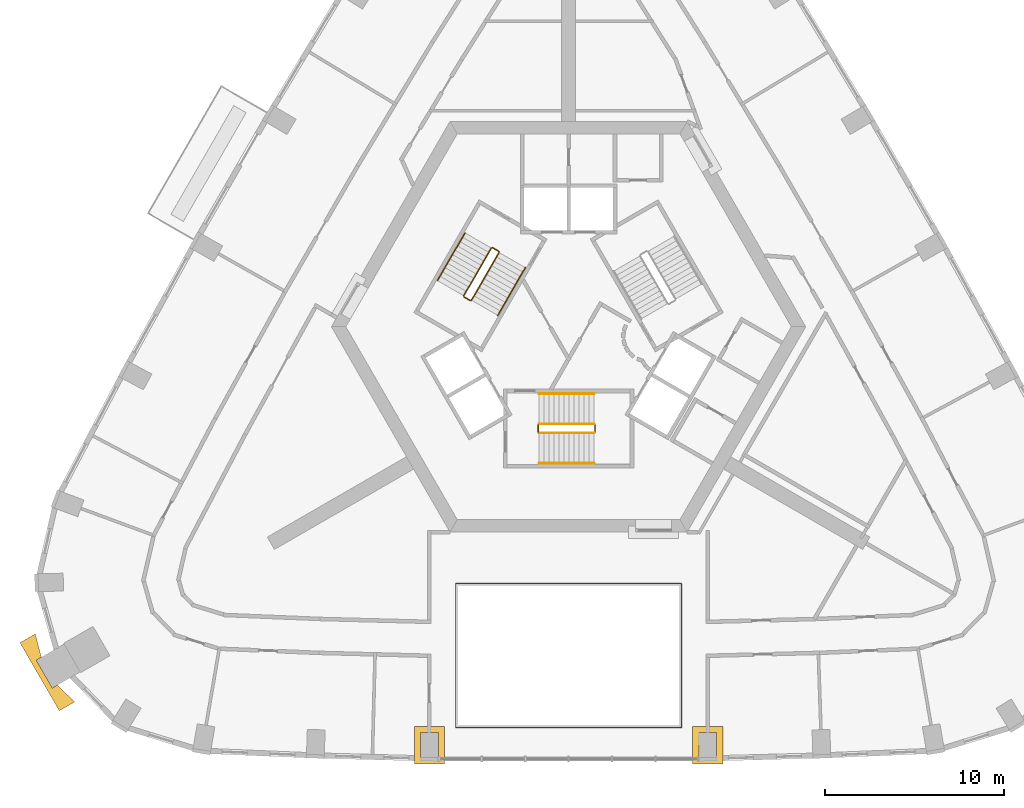
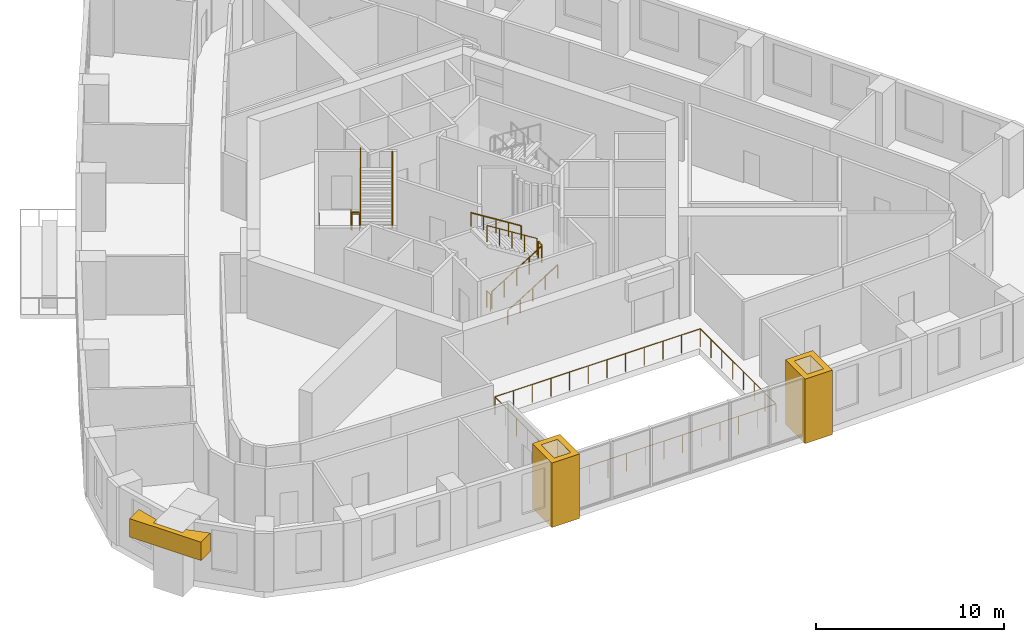
# One storey, part 11 of 13: 13 railings, 3 coverings.
"""IFC4 building model written with IfcOpenShell, lengths in metres."""

from ifc_helpers import new_model, si_unit, direction, frame, origin, origin_2d, place, context, subcontext, project, spatial, polyline, circle, outline, extrude, material, type_object, element, save


model = new_model("IFC4")

# Units and contexts
model_context = context("Model", 3, precision=1e-05, world=origin(), true_north=direction((0.0, 1.0)))
body_context = subcontext(model_context, "Body", "Model", "MODEL_VIEW")
ifc_project = project(units=[si_unit("LENGTHUNIT", "METRE"), si_unit("AREAUNIT", "SQUARE_METRE"), si_unit("VOLUMEUNIT", "CUBIC_METRE"), si_unit("PLANEANGLEUNIT", "RADIAN"), si_unit("MASSUNIT", "GRAM", prefix="KILO")], contexts=[model_context])

# Site, building, storey
site_placement = place(None, origin())
site = spatial("IfcSite", under=ifc_project, at=site_placement, CompositionType="ELEMENT")
building_placement = place(site_placement, origin())
building = spatial("IfcBuilding", under=site, at=building_placement, Name="Entoto Arch Interchange Tower", CompositionType="ELEMENT")
storey_placement = place(building_placement, frame((0.0, 0.0, 198.199951171875)))
storey = spatial("IfcBuildingStorey", under=building, at=storey_placement, Name="L44", CompositionType="ELEMENT", Elevation=198.199951171875)

# Railing
ifc_material_1 = material(Name="Stainless steel 1.4301", Category="steel")
railing_type_1 = type_object("IfcRailingType", Name="ATRIUM GUARD 1200 STEEL AND GLASS", PredefinedType="GUARDRAIL", material=ifc_material_1)
railing_1_placement = place(storey_placement, frame((6.320068359375, -19.947021484375, 0.0)))
element("IfcRailing", 1, at=railing_1_placement, inside=storey, type_object=railing_type_1, Name="Atrium guard L44", PredefinedType="GUARDRAIL", context=body_context, shape_type="SweptSolid", body=[
    extrude(circle(Radius=0.02392578125, at=origin_2d()), frame((0.0, 0.0, 1.17578125), z_axis=(-1.0, 0.0, 0.0), x_axis=(0.0, -1.0, 0.0)), (0.0, 0.0, 1.0), 12.64013671875),
    extrude(circle(Radius=0.02392578125, at=origin_2d()), frame((-12.64013671875, 0.0, 1.17578125), z_axis=(0.0, 1.0, 0.0), x_axis=(-1.0, 0.0, 0.0)), (0.0, 0.0, 1.0), 8.067138671875),
    extrude(circle(Radius=0.02392578125, at=origin_2d()), frame((-12.64013671875, 8.067138671875, 1.17578125), z_axis=(1.0, 0.0, 0.0), x_axis=(0.0, 1.0, 0.0)), (0.0, 0.0, 1.0), 12.64013671875),
    extrude(circle(Radius=0.02392578125, at=origin_2d()), frame((0.0, 8.067138671875, 1.17578125), z_axis=(0.0, -1.0, 0.0), x_axis=(1.0, 0.0, 0.0)), (0.0, 0.0, 1.0), 8.067138671875),
    extrude(circle(Radius=0.02099609375, at=origin_2d()), origin(), (0.0, 0.0, 1.0), 1.15185546875),
    extrude(circle(Radius=0.02099609375, at=origin_2d()), frame((-1.149169921875, 0.0, 0.0)), (0.0, 0.0, 1.0), 1.15185546875),
    extrude(circle(Radius=0.02099609375, at=origin_2d()), frame((-2.298095703125, 0.0, 0.0)), (0.0, 0.0, 1.0), 1.15185546875),
    extrude(circle(Radius=0.02099609375, at=origin_2d()), frame((-3.447265625, 0.0, 0.0)), (0.0, 0.0, 1.0), 1.15185546875),
    extrude(circle(Radius=0.02099609375, at=origin_2d()), frame((-4.596435546875, 0.0, 0.0)), (0.0, 0.0, 1.0), 1.15185546875),
    extrude(circle(Radius=0.02099609375, at=origin_2d()), frame((-5.74560546875, 0.0, 0.0)), (0.0, 0.0, 1.0), 1.15185546875),
    extrude(circle(Radius=0.02099609375, at=origin_2d()), frame((-6.89453125, 0.0, 0.0)), (0.0, 0.0, 1.0), 1.15185546875),
    extrude(circle(Radius=0.02099609375, at=origin_2d()), frame((-8.043701171875, 0.0, 0.0)), (0.0, 0.0, 1.0), 1.15185546875),
    extrude(circle(Radius=0.02099609375, at=origin_2d()), frame((-9.19287109375, 0.0, 0.0)), (0.0, 0.0, 1.0), 1.15185546875),
    extrude(circle(Radius=0.02099609375, at=origin_2d()), frame((-10.342041015625, 0.0, 0.0)), (0.0, 0.0, 1.0), 1.15185546875),
    extrude(circle(Radius=0.02099609375, at=origin_2d()), frame((-11.490966796875, 0.0, 0.0)), (0.0, 0.0, 1.0), 1.15185546875),
    extrude(circle(Radius=0.02099609375, at=origin_2d()), frame((-12.64013671875, 0.0, 0.0)), (0.0, 0.0, 1.0), 1.15185546875),
    extrude(circle(Radius=0.02099609375, at=origin_2d()), frame((-12.64013671875, 1.15234375, 0.0)), (0.0, 0.0, 1.0), 1.15185546875),
    extrude(circle(Radius=0.02099609375, at=origin_2d()), frame((-12.64013671875, 2.304931640625, 0.0)), (0.0, 0.0, 1.0), 1.15185546875),
    extrude(circle(Radius=0.02099609375, at=origin_2d()), frame((-12.64013671875, 3.457275390625, 0.0)), (0.0, 0.0, 1.0), 1.15185546875),
    extrude(circle(Radius=0.02099609375, at=origin_2d()), frame((-12.64013671875, 4.60986328125, 0.0)), (0.0, 0.0, 1.0), 1.15185546875),
    extrude(circle(Radius=0.02099609375, at=origin_2d()), frame((-12.64013671875, 5.76220703125, 0.0)), (0.0, 0.0, 1.0), 1.15185546875),
    extrude(circle(Radius=0.02099609375, at=origin_2d()), frame((-12.64013671875, 6.914794921875, 0.0)), (0.0, 0.0, 1.0), 1.15185546875),
    extrude(circle(Radius=0.02099609375, at=origin_2d()), frame((-12.64013671875, 8.067138671875, 0.0)), (0.0, 0.0, 1.0), 1.15185546875),
    extrude(circle(Radius=0.02099609375, at=origin_2d()), frame((-11.490966796875, 8.067138671875, 0.0)), (0.0, 0.0, 1.0), 1.15185546875),
    extrude(circle(Radius=0.02099609375, at=origin_2d()), frame((-10.342041015625, 8.067138671875, 0.0)), (0.0, 0.0, 1.0), 1.15185546875),
    extrude(circle(Radius=0.02099609375, at=origin_2d()), frame((-9.19287109375, 8.067138671875, 0.0)), (0.0, 0.0, 1.0), 1.15185546875),
    extrude(circle(Radius=0.02099609375, at=origin_2d()), frame((-8.043701171875, 8.067138671875, 0.0)), (0.0, 0.0, 1.0), 1.15185546875),
    extrude(circle(Radius=0.02099609375, at=origin_2d()), frame((-6.89453125, 8.067138671875, 0.0)), (0.0, 0.0, 1.0), 1.15185546875),
    extrude(circle(Radius=0.02099609375, at=origin_2d()), frame((-5.74560546875, 8.067138671875, 0.0)), (0.0, 0.0, 1.0), 1.15185546875),
    extrude(circle(Radius=0.02099609375, at=origin_2d()), frame((-4.596435546875, 8.067138671875, 0.0)), (0.0, 0.0, 1.0), 1.15185546875),
    extrude(circle(Radius=0.02099609375, at=origin_2d()), frame((-3.447265625, 8.067138671875, 0.0)), (0.0, 0.0, 1.0), 1.15185546875),
    extrude(circle(Radius=0.02099609375, at=origin_2d()), frame((-2.298095703125, 8.067138671875, 0.0)), (0.0, 0.0, 1.0), 1.15185546875),
    extrude(circle(Radius=0.02099609375, at=origin_2d()), frame((-1.149169921875, 8.067138671875, 0.0)), (0.0, 0.0, 1.0), 1.15185546875),
    extrude(circle(Radius=0.02099609375, at=origin_2d()), frame((0.0, 8.067138671875, 0.0)), (0.0, 0.0, 1.0), 1.15185546875),
    extrude(circle(Radius=0.02099609375, at=origin_2d()), frame((0.0, 6.914794921875, 0.0)), (0.0, 0.0, 1.0), 1.15185546875),
    extrude(circle(Radius=0.02099609375, at=origin_2d()), frame((0.0, 5.76220703125, 0.0)), (0.0, 0.0, 1.0), 1.15185546875),
    extrude(circle(Radius=0.02099609375, at=origin_2d()), frame((0.0, 4.60986328125, 0.0)), (0.0, 0.0, 1.0), 1.15185546875),
    extrude(circle(Radius=0.02099609375, at=origin_2d()), frame((0.0, 3.457275390625, 0.0)), (0.0, 0.0, 1.0), 1.15185546875),
    extrude(circle(Radius=0.02099609375, at=origin_2d()), frame((0.0, 2.304931640625, 0.0)), (0.0, 0.0, 1.0), 1.15185546875),
    extrude(circle(Radius=0.02099609375, at=origin_2d()), frame((0.0, 1.15234375, 0.0)), (0.0, 0.0, 1.0), 1.15185546875),
])

# Coverings
ifc_material_2 = material(Name="Board-marked precast concrete C50/60", Category="concrete")
covering_type = type_object("IfcCoveringType", Name="PRECAST FRAME COURSE", PredefinedType="CLADDING", material=ifc_material_2)
covering_1_placement = place(storey_placement, frame((0.0, 0.0, 2.60009765625)))
element("IfcCovering", 2, at=covering_1_placement, inside=storey, type_object=covering_type, Name="Corner pilaster head SW L42-L44", PredefinedType="CLADDING", context=body_context, shape_type="SweptSolid", body=[
    extrude(outline(polyline([(-28.51806640625, -19.0048828125), (-30.718017578125, -15.195068359375), (-29.863037109375, -14.700927734375), (-29.52099609375, -16.0048828125), (-29.80810546875, -16.1708984375), (-28.907958984375, -17.72900390625), (-28.6220703125, -17.56396484375), (-27.6630859375, -18.510986328125), (-28.51806640625, -19.0048828125)])), origin(), (0.0, 0.0, 1.0), 1.199951171875),
])
covering_2_placement = place(storey_placement, frame((0.0, 0.0, -0.39990234375)))
element("IfcCovering", 3, at=covering_2_placement, inside=storey, type_object=covering_type, Name="Gate pier L44", PredefinedType="CLADDING", context=body_context, shape_type="SweptSolid", body=[
    extrude(outline(polyline([(-8.637939453125, -19.876953125), (-6.93798828125, -19.876953125), (-6.93798828125, -21.97705078125), (-8.637939453125, -21.97705078125), (-8.637939453125, -19.876953125)]), holes=[polyline([(-8.2880859375, -20.22705078125), (-8.2880859375, -21.626953125), (-7.2880859375, -21.626953125), (-7.2880859375, -20.22705078125), (-8.2880859375, -20.22705078125)])]), origin(), (0.0, 0.0, 1.0), 4.199951171875),
])
covering_3_placement = place(storey_placement, frame((0.0, 0.0, -0.39990234375)))
element("IfcCovering", 4, at=covering_3_placement, inside=storey, type_object=covering_type, Name="Gate pier L44", PredefinedType="CLADDING", context=body_context, shape_type="SweptSolid", body=[
    extrude(outline(polyline([(6.93798828125, -19.876953125), (8.637939453125, -19.876953125), (8.637939453125, -21.97705078125), (6.93798828125, -21.97705078125), (6.93798828125, -19.876953125)]), holes=[polyline([(7.2880859375, -20.22705078125), (7.2880859375, -21.626953125), (8.2880859375, -21.626953125), (8.2880859375, -20.22705078125), (7.2880859375, -20.22705078125)])]), origin(), (0.0, 0.0, 1.0), 4.199951171875),
])

# Railings
railing_type_2 = type_object("IfcRailingType", Name="STAIR GUARD 1100 STEEL", PredefinedType="GUARDRAIL", material=ifc_material_1)
railing_2_placement = place(storey_placement, frame((-1.64990234375, -3.449951171875, 0.175048828125)))
element("IfcRailing", 5, at=railing_2_placement, inside=storey, type_object=railing_type_2, Name="L44 ST-S stair guard 1", PredefinedType="GUARDRAIL", context=body_context, shape_type="SweptSolid", body=[
    extrude(circle(Radius=0.02392578125, at=origin_2d()), frame((0.0, 0.0, 1.076171875), z_axis=(0.847979421464, 0.0, 0.530029150871), x_axis=(0.0, 1.0, 0.0)), (0.0, 0.0, 1.0), 3.632080078125),
    extrude(circle(Radius=0.02099609375, at=origin_2d()), origin(), (0.0, 0.0, 1.0), 1.052001953125),
    extrude(circle(Radius=0.02099609375, at=origin_2d()), frame((0.77001953125, 0.0, 0.481201171875)), (0.0, 0.0, 1.0), 1.052001953125),
    extrude(circle(Radius=0.02099609375, at=origin_2d()), frame((1.5400390625, 0.0, 0.96240234375)), (0.0, 0.0, 1.0), 1.052001953125),
    extrude(circle(Radius=0.02099609375, at=origin_2d()), frame((2.309814453125, 0.0, 1.44384765625)), (0.0, 0.0, 1.0), 1.052001953125),
    extrude(circle(Radius=0.02099609375, at=origin_2d()), frame((3.079833984375, 0.0, 1.925048828125)), (0.0, 0.0, 1.0), 1.052001953125),
])
railing_3_placement = place(storey_placement, frame((1.47998046875, -3.39990234375, 2.10009765625)))
element("IfcRailing", 6, at=railing_3_placement, inside=storey, type_object=railing_type_2, Name="L44 ST-S stair guard 2", PredefinedType="GUARDRAIL", context=body_context, shape_type="SweptSolid", body=[
    extrude(circle(Radius=0.02392578125, at=origin_2d()), frame((0.0, 0.0, 1.076171875), z_axis=(0.0, 1.0, 0.0), x_axis=(-1.0, 0.0, 0.0)), (0.0, 0.0, 1.0), 0.39990234375),
    extrude(circle(Radius=0.02099609375, at=origin_2d()), origin(), (0.0, 0.0, 1.0), 1.052001953125),
    extrude(circle(Radius=0.02099609375, at=origin_2d()), frame((0.0, 0.39990234375, 0.0)), (0.0, 0.0, 1.0), 1.052001953125),
])
railing_4_placement = place(storey_placement, frame((1.429931640625, -2.949951171875, 2.275146484375)))
element("IfcRailing", 7, at=railing_4_placement, inside=storey, type_object=railing_type_2, Name="L44 ST-S stair guard 3", PredefinedType="GUARDRAIL", context=body_context, shape_type="SweptSolid", body=[
    extrude(circle(Radius=0.02392578125, at=origin_2d()), frame((0.0, 0.0, 1.076171875), z_axis=(-0.848009633417, 0.0, 0.529980812513), x_axis=(0.0, -1.0, 0.0)), (0.0, 0.0, 1.0), 3.6318359375),
    extrude(circle(Radius=0.02099609375, at=origin_2d()), origin(), (0.0, 0.0, 1.0), 1.052001953125),
    extrude(circle(Radius=0.02099609375, at=origin_2d()), frame((-0.77001953125, 0.0, 0.481201171875)), (0.0, 0.0, 1.0), 1.052001953125),
    extrude(circle(Radius=0.02099609375, at=origin_2d()), frame((-1.5400390625, 0.0, 0.96240234375)), (0.0, 0.0, 1.0), 1.052001953125),
    extrude(circle(Radius=0.02099609375, at=origin_2d()), frame((-2.309814453125, 0.0, 1.443603515625)), (0.0, 0.0, 1.0), 1.052001953125),
    extrude(circle(Radius=0.02099609375, at=origin_2d()), frame((-3.079833984375, 0.0, 1.9248046875)), (0.0, 0.0, 1.0), 1.052001953125),
])
railing_5_placement = place(storey_placement, frame((-1.699951171875, -3.39990234375, 0.0)))
element("IfcRailing", 8, at=railing_5_placement, inside=storey, type_object=railing_type_2, Name="L44 ST-S stair guard 4", PredefinedType="GUARDRAIL", context=body_context, shape_type="SweptSolid", body=[
    extrude(circle(Radius=0.02392578125, at=origin_2d()), frame((0.0, 0.0, 1.076171875), z_axis=(0.0, 1.0, 0.0), x_axis=(-1.0, 0.0, 0.0)), (0.0, 0.0, 1.0), 0.39990234375),
    extrude(circle(Radius=0.02099609375, at=origin_2d()), origin(), (0.0, 0.0, 1.0), 1.052001953125),
    extrude(circle(Radius=0.02099609375, at=origin_2d()), frame((0.0, 0.39990234375, 0.0)), (0.0, 0.0, 1.0), 1.052001953125),
])
railing_6_placement = place(storey_placement, frame((-4.327880859375, 6.904052734375, 0.175048828125)))
element("IfcRailing", 9, at=railing_6_placement, inside=storey, type_object=railing_type_2, Name="L44 ST-NW stair guard 1", PredefinedType="GUARDRAIL", context=body_context, shape_type="SweptSolid", body=[
    extrude(circle(Radius=0.02392578125, at=origin_2d()), frame((0.0, 0.0, 1.076171875), z_axis=(-0.423994474112, -0.734394994316, 0.52999309264), x_axis=(0.866029832698, -0.499992328818, 0.0)), (0.0, 0.0, 1.0), 3.63232421875),
    extrude(circle(Radius=0.02099609375, at=origin_2d()), origin(), (0.0, 0.0, 1.0), 1.052001953125),
    extrude(circle(Radius=0.02099609375, at=origin_2d()), frame((-0.385009765625, -0.6669921875, 0.481201171875)), (0.0, 0.0, 1.0), 1.052001953125),
    extrude(circle(Radius=0.02099609375, at=origin_2d()), frame((-0.77001953125, -1.333740234375, 0.96240234375)), (0.0, 0.0, 1.0), 1.052001953125),
    extrude(circle(Radius=0.02099609375, at=origin_2d()), frame((-1.155029296875, -2.00048828125, 1.44384765625)), (0.0, 0.0, 1.0), 1.052001953125),
    extrude(circle(Radius=0.02099609375, at=origin_2d()), frame((-1.5400390625, -2.66748046875, 1.925048828125)), (0.0, 0.0, 1.0), 1.052001953125),
])
railing_7_placement = place(storey_placement, frame((-5.849609375, 4.168212890625, 2.10009765625)))
element("IfcRailing", 10, at=railing_7_placement, inside=storey, type_object=railing_type_2, Name="L44 ST-NW stair guard 2", PredefinedType="GUARDRAIL", context=body_context, shape_type="SweptSolid", body=[
    extrude(circle(Radius=0.02392578125, at=origin_2d()), frame((0.0, 0.0, 1.076171875), z_axis=(0.866094119867, -0.499880961361, 0.0), x_axis=(0.499880961361, 0.866094119867, 0.0)), (0.0, 0.0, 1.0), 0.39990234375),
    extrude(circle(Radius=0.02099609375, at=origin_2d()), origin(), (0.0, 0.0, 1.0), 1.052001953125),
    extrude(circle(Radius=0.02099609375, at=origin_2d()), frame((0.346435546875, -0.199951171875, 0.0)), (0.0, 0.0, 1.0), 1.052001953125),
])
railing_8_placement = place(storey_placement, frame((-5.434814453125, 3.986572265625, 2.275146484375)))
element("IfcRailing", 11, at=railing_8_placement, inside=storey, type_object=railing_type_2, Name="L44 ST-NW stair guard 3", PredefinedType="GUARDRAIL", context=body_context, shape_type="SweptSolid", body=[
    extrude(circle(Radius=0.02392578125, at=origin_2d()), frame((0.0, 0.0, 1.076171875), z_axis=(0.424009578203, 0.734421155904, 0.529944755001), x_axis=(-0.866029832698, 0.499992328818, 0.0)), (0.0, 0.0, 1.0), 3.632080078125),
    extrude(circle(Radius=0.02099609375, at=origin_2d()), origin(), (0.0, 0.0, 1.0), 1.052001953125),
    extrude(circle(Radius=0.02099609375, at=origin_2d()), frame((0.385009765625, 0.6669921875, 0.481201171875)), (0.0, 0.0, 1.0), 1.052001953125),
    extrude(circle(Radius=0.02099609375, at=origin_2d()), frame((0.77001953125, 1.333740234375, 0.96240234375)), (0.0, 0.0, 1.0), 1.052001953125),
    extrude(circle(Radius=0.02099609375, at=origin_2d()), frame((1.155029296875, 2.00048828125, 1.443603515625)), (0.0, 0.0, 1.0), 1.052001953125),
    extrude(circle(Radius=0.02099609375, at=origin_2d()), frame((1.5400390625, 2.66748046875, 1.9248046875)), (0.0, 0.0, 1.0), 1.052001953125),
])
railing_9_placement = place(storey_placement, frame((-4.259521484375, 6.92236328125, 0.0)))
element("IfcRailing", 12, at=railing_9_placement, inside=storey, type_object=railing_type_2, Name="L44 ST-NW stair guard 4", PredefinedType="GUARDRAIL", context=body_context, shape_type="SweptSolid", body=[
    extrude(circle(Radius=0.02392578125, at=origin_2d()), frame((0.0, 0.0, 1.076171875), z_axis=(0.865829829939, -0.500338590944, 0.0), x_axis=(0.500338590944, 0.865829829939, 0.0)), (0.0, 0.0, 1.0), 0.400146484375),
    extrude(circle(Radius=0.02099609375, at=origin_2d()), origin(), (0.0, 0.0, 1.0), 1.052001953125),
    extrude(circle(Radius=0.02099609375, at=origin_2d()), frame((0.346435546875, -0.2001953125, 0.0)), (0.0, 0.0, 1.0), 1.052001953125),
])
railing_type_3 = type_object("IfcRailingType", Name="STAIR HANDRAIL 900 STEEL", PredefinedType="HANDRAIL", material=ifc_material_1)
railing_10_placement = place(storey_placement, frame((-1.64990234375, -5.14990234375, 0.175048828125)))
element("IfcRailing", 13, at=railing_10_placement, inside=storey, type_object=railing_type_3, Name="L44 ST-S stair handrail 1", PredefinedType="HANDRAIL", context=body_context, shape_type="SweptSolid", body=[
    extrude(circle(Radius=0.02392578125, at=origin_2d()), frame((0.0, 0.0, 0.8759765625), z_axis=(0.847979421464, 0.0, 0.530029150871), x_axis=(0.0, 1.0, 0.0)), (0.0, 0.0, 1.0), 3.632080078125),
    extrude(circle(Radius=0.02099609375, at=origin_2d()), origin(), (0.0, 0.0, 1.0), 0.851806640625),
    extrude(circle(Radius=0.02099609375, at=origin_2d()), frame((0.77001953125, 0.0, 0.481201171875)), (0.0, 0.0, 1.0), 0.851806640625),
    extrude(circle(Radius=0.02099609375, at=origin_2d()), frame((1.5400390625, 0.0, 0.96240234375)), (0.0, 0.0, 1.0), 0.851806640625),
    extrude(circle(Radius=0.02099609375, at=origin_2d()), frame((2.309814453125, 0.0, 1.44384765625)), (0.0, 0.0, 1.0), 0.851806640625),
    extrude(circle(Radius=0.02099609375, at=origin_2d()), frame((3.079833984375, 0.0, 1.925048828125)), (0.0, 0.0, 1.0), 0.851806640625),
])
railing_11_placement = place(storey_placement, frame((1.429931640625, -1.25, 2.275146484375)))
element("IfcRailing", 14, at=railing_11_placement, inside=storey, type_object=railing_type_3, Name="L44 ST-S stair handrail 2", PredefinedType="HANDRAIL", context=body_context, shape_type="SweptSolid", body=[
    extrude(circle(Radius=0.02392578125, at=origin_2d()), frame((0.0, 0.0, 0.8759765625), z_axis=(-0.848009633417, 0.0, 0.529980812513), x_axis=(0.0, -1.0, 0.0)), (0.0, 0.0, 1.0), 3.6318359375),
    extrude(circle(Radius=0.02099609375, at=origin_2d()), origin(), (0.0, 0.0, 1.0), 0.851806640625),
    extrude(circle(Radius=0.02099609375, at=origin_2d()), frame((-0.77001953125, 0.0, 0.481201171875)), (0.0, 0.0, 1.0), 0.851806640625),
    extrude(circle(Radius=0.02099609375, at=origin_2d()), frame((-1.5400390625, 0.0, 0.96240234375)), (0.0, 0.0, 1.0), 0.851806640625),
    extrude(circle(Radius=0.02099609375, at=origin_2d()), frame((-2.309814453125, 0.0, 1.443603515625)), (0.0, 0.0, 1.0), 0.851806640625),
    extrude(circle(Radius=0.02099609375, at=origin_2d()), frame((-3.079833984375, 0.0, 1.9248046875)), (0.0, 0.0, 1.0), 0.851806640625),
])
railing_12_placement = place(storey_placement, frame((-5.800048828125, 7.75390625, 0.175048828125)))
element("IfcRailing", 15, at=railing_12_placement, inside=storey, type_object=railing_type_3, Name="L44 ST-NW stair handrail 1", PredefinedType="HANDRAIL", context=body_context, shape_type="SweptSolid", body=[
    extrude(circle(Radius=0.02392578125, at=origin_2d()), frame((0.0, 0.0, 0.8759765625), z_axis=(-0.424015404183, -0.734364028329, 0.530019255228), x_axis=(0.866010015463, -0.500026652407, 0.0)), (0.0, 0.0, 1.0), 3.632080078125),
    extrude(circle(Radius=0.02099609375, at=origin_2d()), origin(), (0.0, 0.0, 1.0), 0.851806640625),
    extrude(circle(Radius=0.02099609375, at=origin_2d()), frame((-0.385009765625, -0.666748046875, 0.481201171875)), (0.0, 0.0, 1.0), 0.851806640625),
    extrude(circle(Radius=0.02099609375, at=origin_2d()), frame((-0.77001953125, -1.33349609375, 0.96240234375)), (0.0, 0.0, 1.0), 0.851806640625),
    extrude(circle(Radius=0.02099609375, at=origin_2d()), frame((-1.155029296875, -2.00048828125, 1.44384765625)), (0.0, 0.0, 1.0), 0.851806640625),
    extrude(circle(Radius=0.02099609375, at=origin_2d()), frame((-1.5400390625, -2.667236328125, 1.925048828125)), (0.0, 0.0, 1.0), 0.851806640625),
])
railing_13_placement = place(storey_placement, frame((-3.962646484375, 3.136474609375, 2.275146484375)))
element("IfcRailing", 16, at=railing_13_placement, inside=storey, type_object=railing_type_3, Name="L44 ST-NW stair handrail 2", PredefinedType="HANDRAIL", context=body_context, shape_type="SweptSolid", body=[
    extrude(circle(Radius=0.02392578125, at=origin_2d()), frame((0.0, 0.0, 0.8759765625), z_axis=(0.424009578203, 0.734421155904, 0.529944755001), x_axis=(-0.866029832698, 0.499992328818, 0.0)), (0.0, 0.0, 1.0), 3.632080078125),
    extrude(circle(Radius=0.02099609375, at=origin_2d()), origin(), (0.0, 0.0, 1.0), 0.851806640625),
    extrude(circle(Radius=0.02099609375, at=origin_2d()), frame((0.385009765625, 0.6669921875, 0.481201171875)), (0.0, 0.0, 1.0), 0.851806640625),
    extrude(circle(Radius=0.02099609375, at=origin_2d()), frame((0.77001953125, 1.333740234375, 0.96240234375)), (0.0, 0.0, 1.0), 0.851806640625),
    extrude(circle(Radius=0.02099609375, at=origin_2d()), frame((1.155029296875, 2.00048828125, 1.443603515625)), (0.0, 0.0, 1.0), 0.851806640625),
    extrude(circle(Radius=0.02099609375, at=origin_2d()), frame((1.5400390625, 2.66748046875, 1.9248046875)), (0.0, 0.0, 1.0), 0.851806640625),
])

save(model, "model.ifc")
